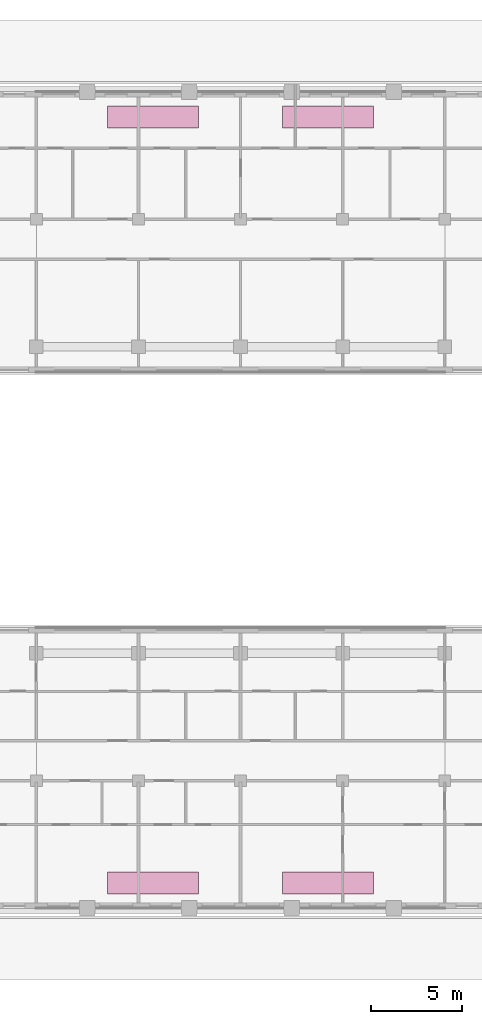
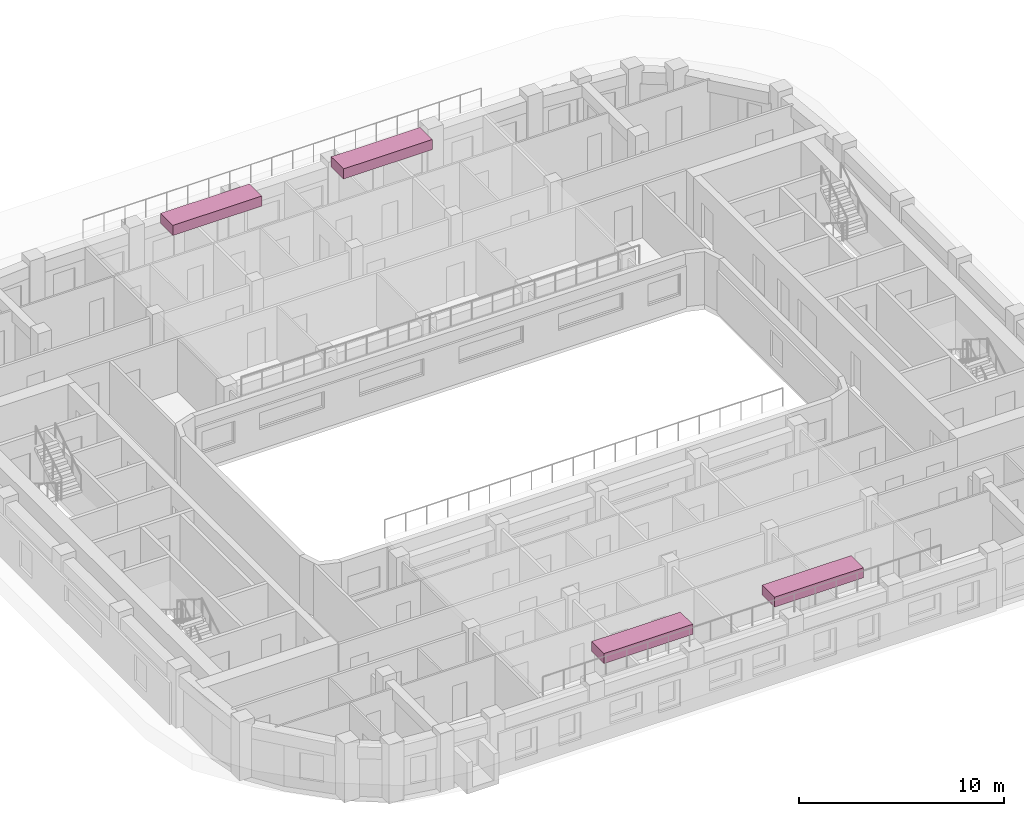
# One storey, part 16 of 16: 4 furnishings.
"""IFC4 building model written with IfcOpenShell, lengths in metres."""

from ifc_helpers import new_model, si_unit, direction, frame, origin, origin_2d, place, context, subcontext, project, spatial, rectangle, extrude, material, type_object, element, save


model = new_model("IFC4")

# Units and contexts
model_context = context("Model", 3, precision=1e-05, world=origin(), true_north=direction((0.0, 1.0)))
body_context = subcontext(model_context, "Body", "Model", "MODEL_VIEW")
ifc_project = project(units=[si_unit("LENGTHUNIT", "METRE"), si_unit("AREAUNIT", "SQUARE_METRE"), si_unit("VOLUMEUNIT", "CUBIC_METRE"), si_unit("PLANEANGLEUNIT", "RADIAN"), si_unit("MASSUNIT", "GRAM", prefix="KILO")], contexts=[model_context])

# Site, building, storey
site_placement = place(None, origin())
site = spatial("IfcSite", under=ifc_project, at=site_placement, CompositionType="ELEMENT")
building_placement = place(site_placement, origin())
building = spatial("IfcBuilding", under=site, at=building_placement, Name="Kiln Ring Residences", CompositionType="ELEMENT")
storey_placement = place(building_placement, frame((0.0, 0.0, 227.39990234375)))
storey = spatial("IfcBuildingStorey", under=building, at=storey_placement, Name="L59", CompositionType="ELEMENT", Elevation=227.39990234375)

# Furnishings
ifc_material = material(Name="Brick masonry, dark clay brick", Category="masonry")
furnishing_element_type = type_object("IfcFurnishingElementType", Name="PLANTER 1200 x 600", material=ifc_material)
for number, where, z_axis, x_axis, name in (
    (1, (-4.800048828125, 21.0, 3.5), (0.0, 0.0, 1.0), (1.0, 0.0, 0.0), "PLANTER L59 1"),
    (2, (4.800048828125, 21.0, 3.5), (0.0, 0.0, 1.0), (1.0, 0.0, 0.0), "PLANTER L59 2"),
    (3, (-4.800048828125, -21.0, 3.5), (0.0, 0.0, 1.0), (1.0, 0.0, 0.0), "PLANTER L59 1"),
    (4, (4.800048828125, -21.0, 3.5), (0.0, 0.0, 1.0), (1.0, 0.0, 0.0), "PLANTER L59 2"),
):
    element("IfcFurnishingElement", number, at=place(storey_placement, frame(where, z_axis=z_axis, x_axis=x_axis)), inside=storey, type_object=furnishing_element_type, Name=name, ObjectType="PLANTER", context=body_context, shape_type="SweptSolid", body=[
        extrude(rectangle(XDim=5.0, YDim=1.199951171875, at=origin_2d()), origin(), (0.0, 0.0, 1.0), 0.60009765625),
    ])

save(model, "model.ifc")
